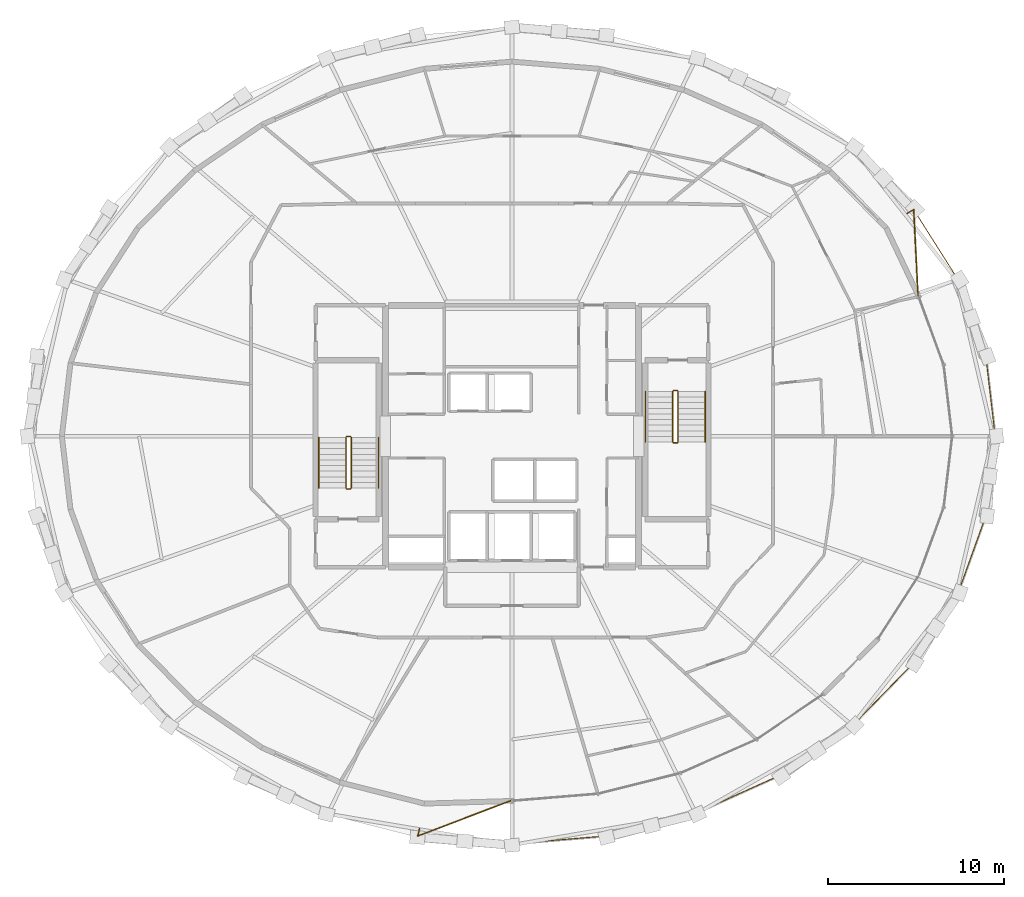
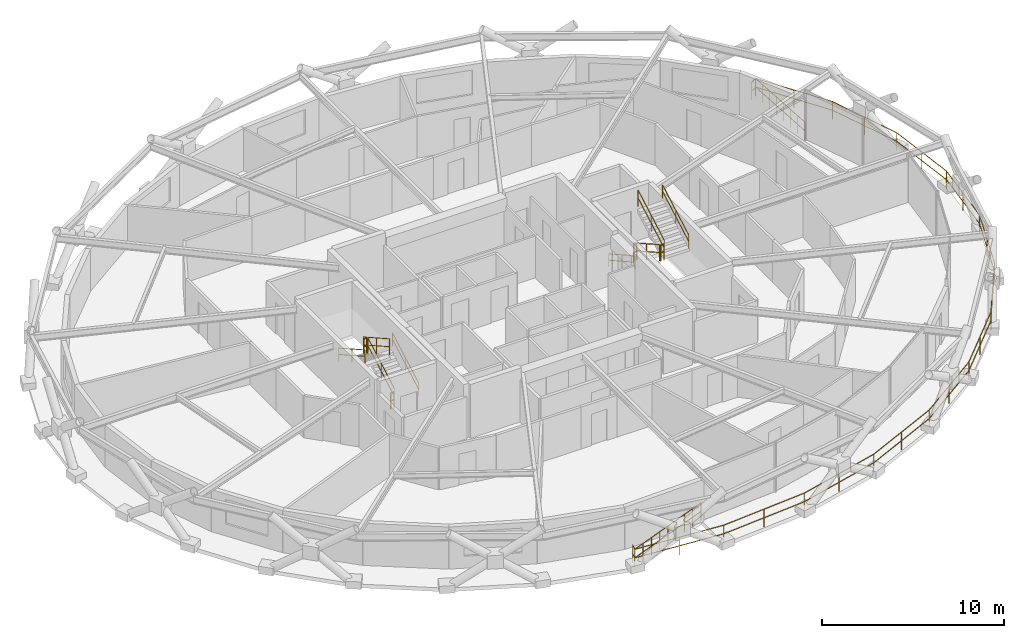
# One storey, part 15 of 15: 15 railings.
"""IFC4 building model written with IfcOpenShell, lengths in metres."""

from ifc_helpers import new_model, si_unit, direction, frame, origin, origin_2d, place, context, subcontext, project, spatial, circle, extrude, material, type_object, element, save


model = new_model("IFC4")

# Units and contexts
model_context = context("Model", 3, precision=1e-05, world=origin(), true_north=direction((0.0, 1.0)))
body_context = subcontext(model_context, "Body", "Model", "MODEL_VIEW")
ifc_project = project(units=[si_unit("LENGTHUNIT", "METRE"), si_unit("AREAUNIT", "SQUARE_METRE"), si_unit("VOLUMEUNIT", "CUBIC_METRE"), si_unit("PLANEANGLEUNIT", "RADIAN"), si_unit("MASSUNIT", "GRAM", prefix="KILO")], contexts=[model_context])

# Site, building, storey
site_placement = place(None, origin())
site = spatial("IfcSite", under=ifc_project, at=site_placement, CompositionType="ELEMENT")
building_placement = place(site_placement, origin())
building = spatial("IfcBuilding", under=site, at=building_placement, Name="Veldorina Hangang Commons", CompositionType="ELEMENT")
storey_placement = place(building_placement, frame((0.0, 0.0, 182.0)))
storey = spatial("IfcBuildingStorey", under=building, at=storey_placement, Name="L47", CompositionType="ELEMENT", Elevation=182.0)

# Railings
ifc_material_1 = material(Name="Glass Laminated Safety Balustrade", Category="glass")
railing_type_1 = type_object("IfcRailingType", Name="RL-BAL-LOGGIA", PredefinedType="BALUSTRADE", material=ifc_material_1)
railing_1_placement = place(storey_placement, frame((26.73486328125, 1.658203125, 0.0)))
element("IfcRailing", 1, at=railing_1_placement, inside=storey, type_object=railing_type_1, Name="L47 sky-garden loggia end balustrade A", PredefinedType="BALUSTRADE", context=body_context, shape_type="SweptSolid", body=[
    extrude(circle(Radius=0.02392578125, at=origin_2d()), frame((0.0, 0.0, 1.17578125), z_axis=(-0.228974548874, -0.973432409553, 0.0), x_axis=(0.973432409553, -0.228974548874, 0.0)), (0.0, 0.0, 1.0), 0.420166015625),
    extrude(circle(Radius=0.02392578125, at=origin_2d()), frame((0.0, 0.0, 0.60009765625), z_axis=(-0.228974548874, -0.973432409553, 0.0), x_axis=(0.973432409553, -0.228974548874, 0.0)), (0.0, 0.0, 1.0), 0.420166015625),
    extrude(circle(Radius=0.02392578125, at=origin_2d()), frame((-0.09619140625, -0.408935546875, 1.17578125), z_axis=(0.934922049399, 0.354853154906, 0.0), x_axis=(-0.354853154906, 0.934922049399, 0.0)), (0.0, 0.0, 1.0), 5.734619140625),
    extrude(circle(Radius=0.02392578125, at=origin_2d()), frame((-0.09619140625, -0.408935546875, 0.60009765625), z_axis=(0.934922049399, 0.354853154906, 0.0), x_axis=(-0.354853154906, 0.934922049399, 0.0)), (0.0, 0.0, 1.0), 5.734619140625),
    extrude(circle(Radius=0.02099609375, at=origin_2d()), origin(), (0.0, 0.0, 1.0), 1.15185546875),
    extrude(circle(Radius=0.02099609375, at=origin_2d()), frame((-0.09619140625, -0.408935546875, 0.0)), (0.0, 0.0, 1.0), 1.15185546875),
    extrude(circle(Radius=0.02099609375, at=origin_2d()), frame((0.573974609375, -0.154541015625, 0.0)), (0.0, 0.0, 1.0), 1.15185546875),
    extrude(circle(Radius=0.02099609375, at=origin_2d()), frame((1.244140625, 0.099853515625, 0.0)), (0.0, 0.0, 1.0), 1.15185546875),
    extrude(circle(Radius=0.02099609375, at=origin_2d()), frame((1.914306640625, 0.354248046875, 0.0)), (0.0, 0.0, 1.0), 1.15185546875),
    extrude(circle(Radius=0.02099609375, at=origin_2d()), frame((2.58447265625, 0.6083984375, 0.0)), (0.0, 0.0, 1.0), 1.15185546875),
    extrude(circle(Radius=0.02099609375, at=origin_2d()), frame((3.254638671875, 0.86279296875, 0.0)), (0.0, 0.0, 1.0), 1.15185546875),
    extrude(circle(Radius=0.02099609375, at=origin_2d()), frame((3.9248046875, 1.1171875, 0.0)), (0.0, 0.0, 1.0), 1.15185546875),
    extrude(circle(Radius=0.02099609375, at=origin_2d()), frame((4.594970703125, 1.37158203125, 0.0)), (0.0, 0.0, 1.0), 1.15185546875),
    extrude(circle(Radius=0.02099609375, at=origin_2d()), frame((5.26513671875, 1.6259765625, 0.0)), (0.0, 0.0, 1.0), 1.15185546875),
])
railing_2_placement = place(storey_placement, frame((54.493408203125, 36.685791015625, 0.0)))
element("IfcRailing", 2, at=railing_2_placement, inside=storey, type_object=railing_type_1, Name="L47 sky-garden loggia end balustrade B", PredefinedType="BALUSTRADE", context=body_context, shape_type="SweptSolid", body=[
    extrude(circle(Radius=0.02392578125, at=origin_2d()), frame((0.0, 0.0, 1.17578125), z_axis=(0.87098484747, 0.491309877244, 0.0), x_axis=(-0.491309877244, 0.87098484747, 0.0)), (0.0, 0.0, 1.0), 0.419921875),
    extrude(circle(Radius=0.02392578125, at=origin_2d()), frame((0.0, 0.0, 0.60009765625), z_axis=(0.87098484747, 0.491309877244, 0.0), x_axis=(-0.491309877244, 0.87098484747, 0.0)), (0.0, 0.0, 1.0), 0.419921875),
    extrude(circle(Radius=0.02392578125, at=origin_2d()), frame((0.36572265625, 0.206298828125, 1.17578125), z_axis=(0.050709582859, -0.998713441487, 0.0), x_axis=(0.998713441487, 0.050709582859, 0.0)), (0.0, 0.0, 1.0), 4.968505859375),
    extrude(circle(Radius=0.02392578125, at=origin_2d()), frame((0.36572265625, 0.206298828125, 0.60009765625), z_axis=(0.050709582859, -0.998713441487, 0.0), x_axis=(0.998713441487, 0.050709582859, 0.0)), (0.0, 0.0, 1.0), 4.968505859375),
    extrude(circle(Radius=0.02099609375, at=origin_2d()), origin(), (0.0, 0.0, 1.0), 1.15185546875),
    extrude(circle(Radius=0.02099609375, at=origin_2d()), frame((0.36572265625, 0.206298828125, 0.0)), (0.0, 0.0, 1.0), 1.15185546875),
    extrude(circle(Radius=0.02099609375, at=origin_2d()), frame((0.401611328125, -0.502685546875, 0.0)), (0.0, 0.0, 1.0), 1.15185546875),
    extrude(circle(Radius=0.02099609375, at=origin_2d()), frame((0.437744140625, -1.21142578125, 0.0)), (0.0, 0.0, 1.0), 1.15185546875),
    extrude(circle(Radius=0.02099609375, at=origin_2d()), frame((0.4736328125, -1.92041015625, 0.0)), (0.0, 0.0, 1.0), 1.15185546875),
    extrude(circle(Radius=0.02099609375, at=origin_2d()), frame((0.509765625, -2.629150390625, 0.0)), (0.0, 0.0, 1.0), 1.15185546875),
    extrude(circle(Radius=0.02099609375, at=origin_2d()), frame((0.545654296875, -3.338134765625, 0.0)), (0.0, 0.0, 1.0), 1.15185546875),
    extrude(circle(Radius=0.02099609375, at=origin_2d()), frame((0.581787109375, -4.046875, 0.0)), (0.0, 0.0, 1.0), 1.15185546875),
    extrude(circle(Radius=0.02099609375, at=origin_2d()), frame((0.61767578125, -4.755859375, 0.0)), (0.0, 0.0, 1.0), 1.15185546875),
])
railing_3_placement = place(storey_placement, frame((26.638671875, 1.249267578125, 0.0)))
element("IfcRailing", 3, at=railing_3_placement, inside=storey, type_object=railing_type_1, Name="L47 sky-garden loggia outer balustrade", PredefinedType="BALUSTRADE", context=body_context, shape_type="SweptSolid", body=[
    extrude(circle(Radius=0.02392578125, at=origin_2d()), frame((0.0, 0.0, 1.17578125), z_axis=(0.99657199813, -0.082729997841, 0.0), x_axis=(0.082729997841, 0.99657199813, 0.0)), (0.0, 0.0, 1.0), 5.3798828125),
    extrude(circle(Radius=0.02392578125, at=origin_2d()), frame((0.0, 0.0, 0.60009765625), z_axis=(0.99657199813, -0.082729997841, 0.0), x_axis=(0.082729997841, 0.99657199813, 0.0)), (0.0, 0.0, 1.0), 5.3798828125),
    extrude(circle(Radius=0.02392578125, at=origin_2d()), frame((5.361328125, -0.445068359375, 1.17578125), z_axis=(0.99657199813, 0.082729997841, 0.0), x_axis=(-0.082729997841, 0.99657199813, 0.0)), (0.0, 0.0, 1.0), 5.3798828125),
    extrude(circle(Radius=0.02392578125, at=origin_2d()), frame((5.361328125, -0.445068359375, 0.60009765625), z_axis=(0.99657199813, 0.082729997841, 0.0), x_axis=(-0.082729997841, 0.99657199813, 0.0)), (0.0, 0.0, 1.0), 5.3798828125),
    extrude(circle(Radius=0.02392578125, at=origin_2d()), frame((10.72265625, 0.0, 1.17578125), z_axis=(0.968825239754, 0.247745140851, 0.0), x_axis=(-0.247745140851, 0.968825239754, 0.0)), (0.0, 0.0, 1.0), 5.322509765625),
    extrude(circle(Radius=0.02392578125, at=origin_2d()), frame((10.72265625, 0.0, 0.60009765625), z_axis=(0.968825239754, 0.247745140851, 0.0), x_axis=(-0.247745140851, 0.968825239754, 0.0)), (0.0, 0.0, 1.0), 5.322509765625),
    extrude(circle(Radius=0.02392578125, at=origin_2d()), frame((15.879150390625, 1.318603515625, 1.17578125), z_axis=(0.911704066331, 0.410847533076, 0.0), x_axis=(-0.410847533076, 0.911704066331, 0.0)), (0.0, 0.0, 1.0), 5.213134765625),
    extrude(circle(Radius=0.02392578125, at=origin_2d()), frame((15.879150390625, 1.318603515625, 0.60009765625), z_axis=(0.911704066331, 0.410847533076, 0.0), x_axis=(-0.410847533076, 0.911704066331, 0.0)), (0.0, 0.0, 1.0), 5.213134765625),
    extrude(circle(Radius=0.02392578125, at=origin_2d()), frame((20.632080078125, 3.46044921875, 1.17578125), z_axis=(0.822365587346, 0.568959436822, 0.0), x_axis=(-0.568959436822, 0.822365587346, 0.0)), (0.0, 0.0, 1.0), 5.067626953125),
    extrude(circle(Radius=0.02392578125, at=origin_2d()), frame((20.632080078125, 3.46044921875, 0.60009765625), z_axis=(0.822365587346, 0.568959436822, 0.0), x_axis=(-0.568959436822, 0.822365587346, 0.0)), (0.0, 0.0, 1.0), 5.067626953125),
    extrude(circle(Radius=0.02392578125, at=origin_2d()), frame((24.799560546875, 6.34375, 1.17578125), z_axis=(0.697459995352, 0.716623719175, 0.0), x_axis=(-0.716623719175, 0.697459995352, 0.0)), (0.0, 0.0, 1.0), 4.90478515625),
    extrude(circle(Radius=0.02392578125, at=origin_2d()), frame((24.799560546875, 6.34375, 0.60009765625), z_axis=(0.697459995352, 0.716623719175, 0.0), x_axis=(-0.716623719175, 0.697459995352, 0.0)), (0.0, 0.0, 1.0), 4.90478515625),
    extrude(circle(Radius=0.02392578125, at=origin_2d()), frame((28.220458984375, 9.858642578125, 1.17578125), z_axis=(0.535357800559, 0.844625375762, 0.0), x_axis=(-0.844625375762, 0.535357800559, 0.0)), (0.0, 0.0, 1.0), 4.7490234375),
    extrude(circle(Radius=0.02392578125, at=origin_2d()), frame((28.220458984375, 9.858642578125, 0.60009765625), z_axis=(0.535357800559, 0.844625375762, 0.0), x_axis=(-0.844625375762, 0.535357800559, 0.0)), (0.0, 0.0, 1.0), 4.7490234375),
    extrude(circle(Radius=0.02392578125, at=origin_2d()), frame((30.762939453125, 13.869873046875, 1.17578125), z_axis=(0.338431668999, 0.940990969892, 0.0), x_axis=(-0.940990969892, 0.338431668999, 0.0)), (0.0, 0.0, 1.0), 4.626220703125),
    extrude(circle(Radius=0.02392578125, at=origin_2d()), frame((30.762939453125, 13.869873046875, 0.60009765625), z_axis=(0.338431668999, 0.940990969892, 0.0), x_axis=(-0.940990969892, 0.338431668999, 0.0)), (0.0, 0.0, 1.0), 4.626220703125),
    extrude(circle(Radius=0.02392578125, at=origin_2d()), frame((32.32861328125, 18.22314453125, 1.17578125), z_axis=(0.116008394326, 0.993248233044, 0.0), x_axis=(-0.993248233044, 0.116008394326, 0.0)), (0.0, 0.0, 1.0), 4.558349609375),
    extrude(circle(Radius=0.02392578125, at=origin_2d()), frame((32.32861328125, 18.22314453125, 0.60009765625), z_axis=(0.116008394326, 0.993248233044, 0.0), x_axis=(-0.993248233044, 0.116008394326, 0.0)), (0.0, 0.0, 1.0), 4.558349609375),
    extrude(circle(Radius=0.02392578125, at=origin_2d()), frame((32.857421875, 22.750732421875, 1.17578125), z_axis=(-0.116008394326, 0.993248233044, 0.0), x_axis=(-0.993248233044, -0.116008394326, 0.0)), (0.0, 0.0, 1.0), 4.558349609375),
    extrude(circle(Radius=0.02392578125, at=origin_2d()), frame((32.857421875, 22.750732421875, 0.60009765625), z_axis=(-0.116008394326, 0.993248233044, 0.0), x_axis=(-0.993248233044, -0.116008394326, 0.0)), (0.0, 0.0, 1.0), 4.558349609375),
    extrude(circle(Radius=0.02392578125, at=origin_2d()), frame((32.32861328125, 27.2783203125, 1.17578125), z_axis=(-0.338431668999, 0.940990969892, 0.0), x_axis=(-0.940990969892, -0.338431668999, 0.0)), (0.0, 0.0, 1.0), 4.626220703125),
    extrude(circle(Radius=0.02392578125, at=origin_2d()), frame((32.32861328125, 27.2783203125, 0.60009765625), z_axis=(-0.338431668999, 0.940990969892, 0.0), x_axis=(-0.940990969892, -0.338431668999, 0.0)), (0.0, 0.0, 1.0), 4.626220703125),
    extrude(circle(Radius=0.02392578125, at=origin_2d()), frame((30.762939453125, 31.631591796875, 1.17578125), z_axis=(-0.535357800559, 0.844625375762, 0.0), x_axis=(-0.844625375762, -0.535357800559, 0.0)), (0.0, 0.0, 1.0), 4.7490234375),
    extrude(circle(Radius=0.02392578125, at=origin_2d()), frame((30.762939453125, 31.631591796875, 0.60009765625), z_axis=(-0.535357800559, 0.844625375762, 0.0), x_axis=(-0.844625375762, -0.535357800559, 0.0)), (0.0, 0.0, 1.0), 4.7490234375),
    extrude(circle(Radius=0.02099609375, at=origin_2d()), origin(), (0.0, 0.0, 1.0), 1.15185546875),
    extrude(circle(Radius=0.02099609375, at=origin_2d()), frame((2.6806640625, -0.22265625, 0.0)), (0.0, 0.0, 1.0), 1.15185546875),
    extrude(circle(Radius=0.02099609375, at=origin_2d()), frame((5.361328125, -0.445068359375, 0.0)), (0.0, 0.0, 1.0), 1.15185546875),
    extrude(circle(Radius=0.02099609375, at=origin_2d()), frame((8.0419921875, -0.22265625, 0.0)), (0.0, 0.0, 1.0), 1.15185546875),
    extrude(circle(Radius=0.02099609375, at=origin_2d()), frame((10.72265625, 0.0, 0.0)), (0.0, 0.0, 1.0), 1.15185546875),
    extrude(circle(Radius=0.02099609375, at=origin_2d()), frame((13.30078125, 0.6591796875, 0.0)), (0.0, 0.0, 1.0), 1.15185546875),
    extrude(circle(Radius=0.02099609375, at=origin_2d()), frame((15.879150390625, 1.318603515625, 0.0)), (0.0, 0.0, 1.0), 1.15185546875),
    extrude(circle(Radius=0.02099609375, at=origin_2d()), frame((18.255615234375, 2.3896484375, 0.0)), (0.0, 0.0, 1.0), 1.15185546875),
    extrude(circle(Radius=0.02099609375, at=origin_2d()), frame((20.632080078125, 3.46044921875, 0.0)), (0.0, 0.0, 1.0), 1.15185546875),
    extrude(circle(Radius=0.02099609375, at=origin_2d()), frame((22.7158203125, 4.902099609375, 0.0)), (0.0, 0.0, 1.0), 1.15185546875),
    extrude(circle(Radius=0.02099609375, at=origin_2d()), frame((24.799560546875, 6.34375, 0.0)), (0.0, 0.0, 1.0), 1.15185546875),
    extrude(circle(Radius=0.02099609375, at=origin_2d()), frame((26.510009765625, 8.10107421875, 0.0)), (0.0, 0.0, 1.0), 1.15185546875),
    extrude(circle(Radius=0.02099609375, at=origin_2d()), frame((28.220458984375, 9.858642578125, 0.0)), (0.0, 0.0, 1.0), 1.15185546875),
    extrude(circle(Radius=0.02099609375, at=origin_2d()), frame((29.49169921875, 11.8642578125, 0.0)), (0.0, 0.0, 1.0), 1.15185546875),
    extrude(circle(Radius=0.02099609375, at=origin_2d()), frame((30.762939453125, 13.869873046875, 0.0)), (0.0, 0.0, 1.0), 1.15185546875),
    extrude(circle(Radius=0.02099609375, at=origin_2d()), frame((31.5458984375, 16.04638671875, 0.0)), (0.0, 0.0, 1.0), 1.15185546875),
    extrude(circle(Radius=0.02099609375, at=origin_2d()), frame((32.32861328125, 18.22314453125, 0.0)), (0.0, 0.0, 1.0), 1.15185546875),
    extrude(circle(Radius=0.02099609375, at=origin_2d()), frame((32.593017578125, 20.48681640625, 0.0)), (0.0, 0.0, 1.0), 1.15185546875),
    extrude(circle(Radius=0.02099609375, at=origin_2d()), frame((32.857421875, 22.750732421875, 0.0)), (0.0, 0.0, 1.0), 1.15185546875),
    extrude(circle(Radius=0.02099609375, at=origin_2d()), frame((32.593017578125, 25.0146484375, 0.0)), (0.0, 0.0, 1.0), 1.15185546875),
    extrude(circle(Radius=0.02099609375, at=origin_2d()), frame((32.32861328125, 27.2783203125, 0.0)), (0.0, 0.0, 1.0), 1.15185546875),
    extrude(circle(Radius=0.02099609375, at=origin_2d()), frame((31.5458984375, 29.455078125, 0.0)), (0.0, 0.0, 1.0), 1.15185546875),
    extrude(circle(Radius=0.02099609375, at=origin_2d()), frame((30.762939453125, 31.631591796875, 0.0)), (0.0, 0.0, 1.0), 1.15185546875),
    extrude(circle(Radius=0.02099609375, at=origin_2d()), frame((29.49169921875, 33.63720703125, 0.0)), (0.0, 0.0, 1.0), 1.15185546875),
    extrude(circle(Radius=0.02099609375, at=origin_2d()), frame((28.220458984375, 35.642822265625, 0.0)), (0.0, 0.0, 1.0), 1.15185546875),
])
ifc_material_2 = material(Name="Steel Painted Balustrade", Category="steel")
railing_type_2 = type_object("IfcRailingType", Name="RL-GRD-STAIR", PredefinedType="GUARDRAIL", material=ifc_material_2)
railing_4_placement = place(storey_placement, frame((22.85009765625, 21.050048828125, 0.179931640625)))
element("IfcRailing", 4, at=railing_4_placement, inside=storey, type_object=railing_type_2, Name="L47 ST-1 stair guard 1", PredefinedType="GUARDRAIL", context=body_context, shape_type="SweptSolid", body=[
    extrude(circle(Radius=0.02392578125, at=origin_2d()), frame((0.0, 0.0, 1.076171875), z_axis=(0.0, 0.87155185771, 0.490303333991), x_axis=(-1.0, 0.0, 0.0)), (0.0, 0.0, 1.0), 3.30419921875),
    extrude(circle(Radius=0.02392578125, at=origin_2d()), frame((0.0, 0.0, 0.550048828125), z_axis=(0.0, 0.87155185771, 0.490303333991), x_axis=(-1.0, 0.0, 0.0)), (0.0, 0.0, 1.0), 3.30419921875),
    extrude(circle(Radius=0.02099609375, at=origin_2d()), origin(), (0.0, 0.0, 1.0), 1.052001953125),
    extrude(circle(Radius=0.02099609375, at=origin_2d()), frame((0.0, 1.43994140625, 0.81005859375)), (0.0, 0.0, 1.0), 1.052001953125),
    extrude(circle(Radius=0.02099609375, at=origin_2d()), frame((0.0, 2.8798828125, 1.6201171875)), (0.0, 0.0, 1.0), 1.052001953125),
])
railing_5_placement = place(storey_placement, frame((22.800048828125, 23.97998046875, 1.800048828125)))
element("IfcRailing", 5, at=railing_5_placement, inside=storey, type_object=railing_type_2, Name="L47 ST-1 stair guard 2", PredefinedType="GUARDRAIL", context=body_context, shape_type="SweptSolid", body=[
    extrude(circle(Radius=0.02392578125, at=origin_2d()), frame((0.0, 0.0, 1.076171875), z_axis=(-1.0, 0.0, 0.0), x_axis=(0.0, -1.0, 0.0)), (0.0, 0.0, 1.0), 0.199951171875),
    extrude(circle(Radius=0.02392578125, at=origin_2d()), frame((0.0, 0.0, 0.550048828125), z_axis=(-1.0, 0.0, 0.0), x_axis=(0.0, -1.0, 0.0)), (0.0, 0.0, 1.0), 0.199951171875),
    extrude(circle(Radius=0.02099609375, at=origin_2d()), origin(), (0.0, 0.0, 1.0), 1.052001953125),
    extrude(circle(Radius=0.02099609375, at=origin_2d()), frame((-0.199951171875, 0.0, 0.0)), (0.0, 0.0, 1.0), 1.052001953125),
])
railing_6_placement = place(storey_placement, frame((22.550048828125, 23.929931640625, 1.97998046875)))
element("IfcRailing", 6, at=railing_6_placement, inside=storey, type_object=railing_type_2, Name="L47 ST-1 stair guard 3", PredefinedType="GUARDRAIL", context=body_context, shape_type="SweptSolid", body=[
    extrude(circle(Radius=0.02392578125, at=origin_2d()), frame((0.0, 0.0, 1.076171875), z_axis=(0.0, -0.87155185771, 0.490303333991), x_axis=(1.0, 0.0, 0.0)), (0.0, 0.0, 1.0), 3.30419921875),
    extrude(circle(Radius=0.02392578125, at=origin_2d()), frame((0.0, 0.0, 0.550048828125), z_axis=(0.0, -0.87155185771, 0.490303333991), x_axis=(1.0, 0.0, 0.0)), (0.0, 0.0, 1.0), 3.30419921875),
    extrude(circle(Radius=0.02099609375, at=origin_2d()), origin(), (0.0, 0.0, 1.0), 1.052001953125),
    extrude(circle(Radius=0.02099609375, at=origin_2d()), frame((0.0, -1.43994140625, 0.81005859375)), (0.0, 0.0, 1.0), 1.052001953125),
    extrude(circle(Radius=0.02099609375, at=origin_2d()), frame((0.0, -2.8798828125, 1.6201171875)), (0.0, 0.0, 1.0), 1.052001953125),
])
railing_7_placement = place(storey_placement, frame((22.800048828125, 21.0, 0.0)))
element("IfcRailing", 7, at=railing_7_placement, inside=storey, type_object=railing_type_2, Name="L47 ST-1 stair guard 4", PredefinedType="GUARDRAIL", context=body_context, shape_type="SweptSolid", body=[
    extrude(circle(Radius=0.02392578125, at=origin_2d()), frame((0.0, 0.0, 1.076171875), z_axis=(-1.0, 0.0, 0.0), x_axis=(0.0, -1.0, 0.0)), (0.0, 0.0, 1.0), 0.199951171875),
    extrude(circle(Radius=0.02392578125, at=origin_2d()), frame((0.0, 0.0, 0.550048828125), z_axis=(-1.0, 0.0, 0.0), x_axis=(0.0, -1.0, 0.0)), (0.0, 0.0, 1.0), 0.199951171875),
    extrude(circle(Radius=0.02099609375, at=origin_2d()), origin(), (0.0, 0.0, 1.0), 1.052001953125),
    extrude(circle(Radius=0.02099609375, at=origin_2d()), frame((-0.199951171875, 0.0, 0.0)), (0.0, 0.0, 1.0), 1.052001953125),
])
railing_8_placement = place(storey_placement, frame((41.14990234375, 26.550048828125, 0.179931640625)))
element("IfcRailing", 8, at=railing_8_placement, inside=storey, type_object=railing_type_2, Name="L47 ST-2 stair guard 1", PredefinedType="GUARDRAIL", context=body_context, shape_type="SweptSolid", body=[
    extrude(circle(Radius=0.02392578125, at=origin_2d()), frame((0.0, 0.0, 1.076171875), z_axis=(0.0, -0.871569617843, 0.490271762652), x_axis=(1.0, 0.0, 0.0)), (0.0, 0.0, 1.0), 3.304443359375),
    extrude(circle(Radius=0.02392578125, at=origin_2d()), frame((0.0, 0.0, 0.550048828125), z_axis=(0.0, -0.871569617843, 0.490271762652), x_axis=(1.0, 0.0, 0.0)), (0.0, 0.0, 1.0), 3.304443359375),
    extrude(circle(Radius=0.02099609375, at=origin_2d()), origin(), (0.0, 0.0, 1.0), 1.052001953125),
    extrude(circle(Radius=0.02099609375, at=origin_2d()), frame((0.0, -1.43994140625, 0.81005859375)), (0.0, 0.0, 1.0), 1.052001953125),
    extrude(circle(Radius=0.02099609375, at=origin_2d()), frame((0.0, -2.880126953125, 1.6201171875)), (0.0, 0.0, 1.0), 1.052001953125),
])
railing_9_placement = place(storey_placement, frame((41.199951171875, 23.6201171875, 1.800048828125)))
element("IfcRailing", 9, at=railing_9_placement, inside=storey, type_object=railing_type_2, Name="L47 ST-2 stair guard 2", PredefinedType="GUARDRAIL", context=body_context, shape_type="SweptSolid", body=[
    extrude(circle(Radius=0.02392578125, at=origin_2d()), frame((0.0, 0.0, 1.076171875), z_axis=(1.0, 0.0, 0.0), x_axis=(0.0, 1.0, 0.0)), (0.0, 0.0, 1.0), 0.199951171875),
    extrude(circle(Radius=0.02392578125, at=origin_2d()), frame((0.0, 0.0, 0.550048828125), z_axis=(1.0, 0.0, 0.0), x_axis=(0.0, 1.0, 0.0)), (0.0, 0.0, 1.0), 0.199951171875),
    extrude(circle(Radius=0.02099609375, at=origin_2d()), origin(), (0.0, 0.0, 1.0), 1.052001953125),
    extrude(circle(Radius=0.02099609375, at=origin_2d()), frame((0.199951171875, 0.0, 0.0)), (0.0, 0.0, 1.0), 1.052001953125),
])
railing_10_placement = place(storey_placement, frame((41.449951171875, 23.669921875, 1.97998046875)))
element("IfcRailing", 10, at=railing_10_placement, inside=storey, type_object=railing_type_2, Name="L47 ST-2 stair guard 3", PredefinedType="GUARDRAIL", context=body_context, shape_type="SweptSolid", body=[
    extrude(circle(Radius=0.02392578125, at=origin_2d()), frame((0.0, 0.0, 1.076171875), z_axis=(0.0, 0.871569617843, 0.490271762652), x_axis=(-1.0, 0.0, 0.0)), (0.0, 0.0, 1.0), 3.304443359375),
    extrude(circle(Radius=0.02392578125, at=origin_2d()), frame((0.0, 0.0, 0.550048828125), z_axis=(0.0, 0.871569617843, 0.490271762652), x_axis=(-1.0, 0.0, 0.0)), (0.0, 0.0, 1.0), 3.304443359375),
    extrude(circle(Radius=0.02099609375, at=origin_2d()), origin(), (0.0, 0.0, 1.0), 1.052001953125),
    extrude(circle(Radius=0.02099609375, at=origin_2d()), frame((0.0, 1.43994140625, 0.81005859375)), (0.0, 0.0, 1.0), 1.052001953125),
    extrude(circle(Radius=0.02099609375, at=origin_2d()), frame((0.0, 2.880126953125, 1.6201171875)), (0.0, 0.0, 1.0), 1.052001953125),
])
railing_11_placement = place(storey_placement, frame((41.199951171875, 26.60009765625, 0.0)))
element("IfcRailing", 11, at=railing_11_placement, inside=storey, type_object=railing_type_2, Name="L47 ST-2 stair guard 4", PredefinedType="GUARDRAIL", context=body_context, shape_type="SweptSolid", body=[
    extrude(circle(Radius=0.02392578125, at=origin_2d()), frame((0.0, 0.0, 1.076171875), z_axis=(1.0, 0.0, 0.0), x_axis=(0.0, 1.0, 0.0)), (0.0, 0.0, 1.0), 0.199951171875),
    extrude(circle(Radius=0.02392578125, at=origin_2d()), frame((0.0, 0.0, 0.550048828125), z_axis=(1.0, 0.0, 0.0), x_axis=(0.0, 1.0, 0.0)), (0.0, 0.0, 1.0), 0.199951171875),
    extrude(circle(Radius=0.02099609375, at=origin_2d()), origin(), (0.0, 0.0, 1.0), 1.052001953125),
    extrude(circle(Radius=0.02099609375, at=origin_2d()), frame((0.199951171875, 0.0, 0.0)), (0.0, 0.0, 1.0), 1.052001953125),
])
ifc_material_3 = material(Name="Stainless Steel Brushed 316", Category="steel")
railing_type_3 = type_object("IfcRailingType", Name="RL-HND-STAIR", PredefinedType="HANDRAIL", material=ifc_material_3)
railing_12_placement = place(storey_placement, frame((24.39990234375, 21.050048828125, 0.179931640625)))
element("IfcRailing", 12, at=railing_12_placement, inside=storey, type_object=railing_type_3, Name="L47 ST-1 stair handrail 1", PredefinedType="HANDRAIL", context=body_context, shape_type="SweptSolid", body=[
    extrude(circle(Radius=0.02392578125, at=origin_2d()), frame((0.0, 0.0, 0.8759765625), z_axis=(0.0, 0.87155185771, 0.490303333991), x_axis=(-1.0, 0.0, 0.0)), (0.0, 0.0, 1.0), 3.30419921875),
    extrude(circle(Radius=0.02392578125, at=origin_2d()), frame((0.0, 0.0, 0.449951171875), z_axis=(0.0, 0.87155185771, 0.490303333991), x_axis=(-1.0, 0.0, 0.0)), (0.0, 0.0, 1.0), 3.30419921875),
    extrude(circle(Radius=0.02099609375, at=origin_2d()), origin(), (0.0, 0.0, 1.0), 0.851806640625),
    extrude(circle(Radius=0.02099609375, at=origin_2d()), frame((0.0, 1.43994140625, 0.81005859375)), (0.0, 0.0, 1.0), 0.851806640625),
    extrude(circle(Radius=0.02099609375, at=origin_2d()), frame((0.0, 2.8798828125, 1.6201171875)), (0.0, 0.0, 1.0), 0.851806640625),
])
railing_13_placement = place(storey_placement, frame((21.0, 23.929931640625, 1.97998046875)))
element("IfcRailing", 13, at=railing_13_placement, inside=storey, type_object=railing_type_3, Name="L47 ST-1 stair handrail 2", PredefinedType="HANDRAIL", context=body_context, shape_type="SweptSolid", body=[
    extrude(circle(Radius=0.02392578125, at=origin_2d()), frame((0.0, 0.0, 0.8759765625), z_axis=(0.0, -0.87155185771, 0.490303333991), x_axis=(1.0, 0.0, 0.0)), (0.0, 0.0, 1.0), 3.30419921875),
    extrude(circle(Radius=0.02392578125, at=origin_2d()), frame((0.0, 0.0, 0.449951171875), z_axis=(0.0, -0.87155185771, 0.490303333991), x_axis=(1.0, 0.0, 0.0)), (0.0, 0.0, 1.0), 3.30419921875),
    extrude(circle(Radius=0.02099609375, at=origin_2d()), origin(), (0.0, 0.0, 1.0), 0.851806640625),
    extrude(circle(Radius=0.02099609375, at=origin_2d()), frame((0.0, -1.43994140625, 0.81005859375)), (0.0, 0.0, 1.0), 0.851806640625),
    extrude(circle(Radius=0.02099609375, at=origin_2d()), frame((0.0, -2.8798828125, 1.6201171875)), (0.0, 0.0, 1.0), 0.851806640625),
])
railing_14_placement = place(storey_placement, frame((39.60009765625, 26.550048828125, 0.179931640625)))
element("IfcRailing", 14, at=railing_14_placement, inside=storey, type_object=railing_type_3, Name="L47 ST-2 stair handrail 1", PredefinedType="HANDRAIL", context=body_context, shape_type="SweptSolid", body=[
    extrude(circle(Radius=0.02392578125, at=origin_2d()), frame((0.0, 0.0, 0.8759765625), z_axis=(0.0, -0.871569617843, 0.490271762652), x_axis=(1.0, 0.0, 0.0)), (0.0, 0.0, 1.0), 3.304443359375),
    extrude(circle(Radius=0.02392578125, at=origin_2d()), frame((0.0, 0.0, 0.449951171875), z_axis=(0.0, -0.871569617843, 0.490271762652), x_axis=(1.0, 0.0, 0.0)), (0.0, 0.0, 1.0), 3.304443359375),
    extrude(circle(Radius=0.02099609375, at=origin_2d()), origin(), (0.0, 0.0, 1.0), 0.851806640625),
    extrude(circle(Radius=0.02099609375, at=origin_2d()), frame((0.0, -1.43994140625, 0.81005859375)), (0.0, 0.0, 1.0), 0.851806640625),
    extrude(circle(Radius=0.02099609375, at=origin_2d()), frame((0.0, -2.880126953125, 1.6201171875)), (0.0, 0.0, 1.0), 0.851806640625),
])
railing_15_placement = place(storey_placement, frame((43.0, 23.669921875, 1.97998046875)))
element("IfcRailing", 15, at=railing_15_placement, inside=storey, type_object=railing_type_3, Name="L47 ST-2 stair handrail 2", PredefinedType="HANDRAIL", context=body_context, shape_type="SweptSolid", body=[
    extrude(circle(Radius=0.02392578125, at=origin_2d()), frame((0.0, 0.0, 0.8759765625), z_axis=(0.0, 0.871569617843, 0.490271762652), x_axis=(-1.0, 0.0, 0.0)), (0.0, 0.0, 1.0), 3.304443359375),
    extrude(circle(Radius=0.02392578125, at=origin_2d()), frame((0.0, 0.0, 0.449951171875), z_axis=(0.0, 0.871569617843, 0.490271762652), x_axis=(-1.0, 0.0, 0.0)), (0.0, 0.0, 1.0), 3.304443359375),
    extrude(circle(Radius=0.02099609375, at=origin_2d()), origin(), (0.0, 0.0, 1.0), 0.851806640625),
    extrude(circle(Radius=0.02099609375, at=origin_2d()), frame((0.0, 1.43994140625, 0.81005859375)), (0.0, 0.0, 1.0), 0.851806640625),
    extrude(circle(Radius=0.02099609375, at=origin_2d()), frame((0.0, 2.880126953125, 1.6201171875)), (0.0, 0.0, 1.0), 0.851806640625),
])

save(model, "model.ifc")
